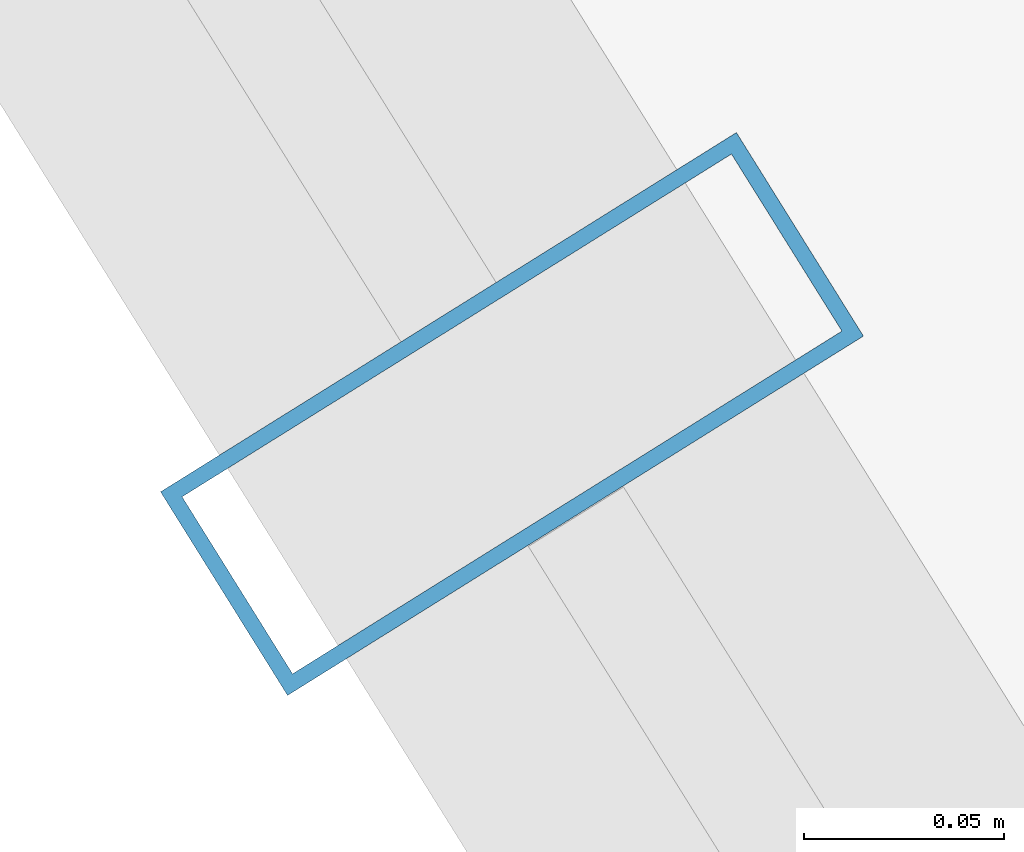
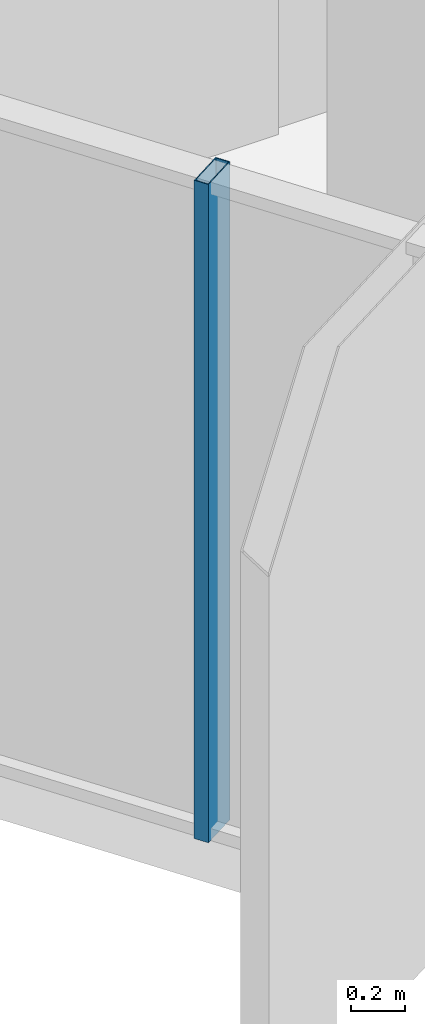
# One storey, part 4 of 39: 1 member, 1 element without a shape of its own.
"""IFC4 building model written with IfcOpenShell, lengths in metres."""

from ifc_helpers import new_model, si_unit, direction, frame, origin, origin_2d, place, context, subcontext, project, spatial, hollow_rectangle, extrude, source, transform, mapped, material, layer, layer_set, material_profile, profile_set, type_object, element, aggregate, save


model = new_model("IFC4")

# Units and contexts
model_context = context("Model", 3, precision=1e-05, world=origin(), true_north=direction((0.0, 1.0)))
body_context = subcontext(model_context, "Body", "Model", "MODEL_VIEW")
ifc_project = project(units=[si_unit("LENGTHUNIT", "METRE"), si_unit("AREAUNIT", "SQUARE_METRE"), si_unit("VOLUMEUNIT", "CUBIC_METRE"), si_unit("PLANEANGLEUNIT", "RADIAN"), si_unit("MASSUNIT", "GRAM", prefix="KILO")], contexts=[model_context])

# Site, building, storey
site_placement = place(None, origin())
site = spatial("IfcSite", under=ifc_project, at=site_placement, CompositionType="ELEMENT")
building_placement = place(site_placement, origin())
building = spatial("IfcBuilding", under=site, at=building_placement, Name="Veraguas Prism Commons", CompositionType="ELEMENT")
storey_placement = place(building_placement, frame((0.0, 0.0, 30.550048828125)))
storey = spatial("IfcBuildingStorey", under=building, at=storey_placement, Name="L07", CompositionType="ELEMENT", Elevation=30.550048828125)

# Curtain wall, member
ifc_material = material(Name="Anodised aluminium EN AW-6063 T6", Category="aluminium")
ifc_layer = layer(ifc_material, 0.169921875, Name="Unitised Flush Curtain Wall Zone 1", Category="aluminium")
ifc_layer_set = layer_set([ifc_layer], Name="Anodised aluminium EN AW-6063 T6")
curtain_wall_type = type_object("IfcCurtainWallType", Name="Unitised Flush Curtain Wall Zone 1", PredefinedType="NOTDEFINED", material=ifc_layer_set)
curtain_wall_placement = place(storey_placement, origin())
curtain_wall = element("IfcCurtainWall", 1, at=curtain_wall_placement, inside=storey, type_object=curtain_wall_type, Name="Tower Facade Curtain Wall L07-F4", PredefinedType="NOTDEFINED")
ifc_material_profile = material_profile(ifc_material, hollow_rectangle(XDim=0.06005859375, YDim=0.169921875, WallThickness=0.00390625, at=origin_2d()), Name="AL60X170X4")
ifc_profile_set = profile_set([ifc_material_profile], Name="Anodised aluminium EN AW-6063 T6")
member_type = type_object("IfcMemberType", Name="Curtain Wall Mullion Lower AL 60x170x4", PredefinedType="MULLION", material=ifc_profile_set)
shared_shape = source(origin(), body_context, "Body", "SweptSolid", [
    extrude(hollow_rectangle(XDim=0.06005859375, YDim=0.169921875, WallThickness=0.00390625, at=origin_2d()), origin(), (0.0, 0.0, 1.0), 3.0),
])
member_placement = place(storey_placement, frame((3.8935546875, 16.961181640625, 0.0), z_axis=(0.0, 0.0, 1.0), x_axis=(0.529324124343, -0.848419690594, 0.0)))
member = element("IfcMember", 2, at=member_placement, type_object=member_type, Name="CW-Z1 Mullion 2", PredefinedType="MULLION", context=body_context, shape_type="MappedRepresentation", body=[
    mapped(shared_shape, transform((0.0, 0.0, 0.0), scale=1.0)),
])
aggregate(curtain_wall, [member])

save(model, "model.ifc")
